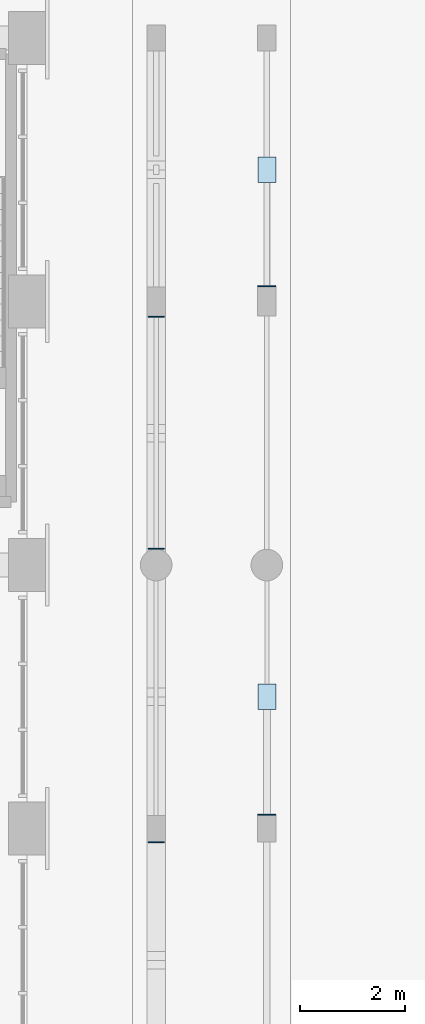
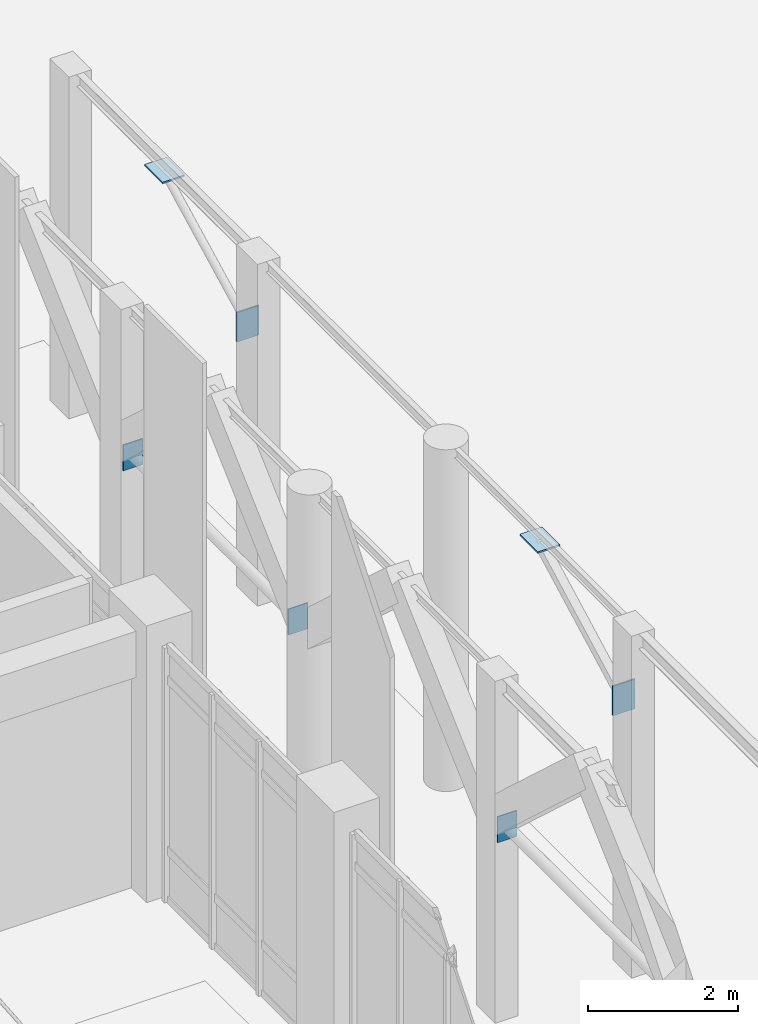
# One storey, part 86 of 135: 7 plates.
"""IFC4 building model written with IfcOpenShell, lengths in metres."""

from ifc_helpers import new_model, si_unit, direction, frame, origin, origin_2d, place, context, subcontext, project, spatial, rectangle, extrude, material, layer, layer_set, type_object, element, save


model = new_model("IFC4")

# Units and contexts
model_context = context("Model", 3, precision=1e-05, world=origin(), true_north=direction((0.0, 1.0)))
body_context = subcontext(model_context, "Body", "Model", "MODEL_VIEW")
ifc_project = project(units=[si_unit("LENGTHUNIT", "METRE"), si_unit("AREAUNIT", "SQUARE_METRE"), si_unit("VOLUMEUNIT", "CUBIC_METRE"), si_unit("PLANEANGLEUNIT", "RADIAN"), si_unit("MASSUNIT", "GRAM", prefix="KILO")], contexts=[model_context])

# Site, building, storey
site_placement = place(None, origin())
site = spatial("IfcSite", under=ifc_project, at=site_placement, CompositionType="ELEMENT")
building_placement = place(site_placement, origin())
building = spatial("IfcBuilding", under=site, at=building_placement, Name="Kiranvali Square Residences", CompositionType="ELEMENT")
storey_placement = place(building_placement, origin())
storey = spatial("IfcBuildingStorey", under=building, at=storey_placement, Name="L00", CompositionType="ELEMENT", Elevation=0.0)

# Plates
ifc_material = material(Name="Structural steel E350", Category="steel")
ifc_layer_1 = layer(ifc_material, 0.02001953125)
ifc_layer_set_1 = layer_set([ifc_layer_1], Name="Structural steel E350")
plate_type_1 = type_object("IfcPlateType", Name="PLT-ENDCAP-20", PredefinedType="SHEET", material=ifc_layer_set_1)
for number, where, z_axis, x_axis, name in (
    (1, (98.449951171875, 68.739013671875, 2.93994140625), (0.0, 0.0, 1.0), (1.0, 0.0, 0.0), "Colonnade tie-rod end plate ARC-GDN-E-5B"),
    (2, (98.449951171875, 74.31103515625, 2.93994140625), (0.0, 0.0, 1.0), (1.0, 0.0, 0.0), "Colonnade tie-rod end plate ARC-GDN-E-7A"),
    (3, (98.449951171875, 78.714111328125, 2.93994140625), (0.0, 0.0, 1.0), (1.0, 0.0, 0.0), "Colonnade tie-rod end plate ARC-GDN-E-7B"),
):
    element("IfcPlate", number, at=place(storey_placement, frame(where, z_axis=z_axis, x_axis=x_axis)), inside=storey, type_object=plate_type_1, Name=name, PredefinedType="SHEET", context=body_context, shape_type="SweptSolid", body=[
        extrude(rectangle(XDim=0.300048828125, YDim=0.02001953125, at=origin_2d()), origin(), (0.0, 0.0, 1.0), 0.419921875),
    ])
ifc_layer_2 = layer(ifc_material, 0.02490234375)
ifc_layer_set_2 = layer_set([ifc_layer_2], Name="Structural steel E350")
plate_type_2 = type_object("IfcPlateType", Name="PLT-GUSSET-25", PredefinedType="USERDEFINED", material=ifc_layer_set_2)
plate_1_placement = place(storey_placement, frame((100.550048828125, 69.263916015625, 3.9599609375), z_axis=(0.0, 0.0, 1.0), x_axis=(1.0, 0.0, 0.0)))
element("IfcPlate", 4, at=plate_1_placement, inside=storey, type_object=plate_type_2, Name="Colonnade knee-brace lower gusset ARC-GDN-E-6A", ObjectType="GUSSET PLATE", PredefinedType="USERDEFINED", context=body_context, shape_type="SweptSolid", body=[
    extrude(rectangle(XDim=0.340087890625, YDim=0.02490234375, at=origin_2d()), origin(), (0.0, 0.0, 1.0), 0.47998046875),
])
plate_2_placement = place(storey_placement, frame((100.550048828125, 71.5, 5.383544921875), z_axis=(0.0, 0.0, 1.0), x_axis=(1.0, 0.0, 0.0)))
element("IfcPlate", 5, at=plate_2_placement, inside=storey, type_object=plate_type_2, Name="Colonnade knee-brace upper gusset ARC-GDN-E-6B", ObjectType="GUSSET PLATE", PredefinedType="USERDEFINED", context=body_context, shape_type="SweptSolid", body=[
    extrude(rectangle(XDim=0.340087890625, YDim=0.47998046875, at=origin_2d()), origin(), (0.0, 0.0, 1.0), 0.02490234375),
])
plate_3_placement = place(storey_placement, frame((100.550048828125, 79.2890625, 3.9599609375), z_axis=(0.0, 0.0, 1.0), x_axis=(1.0, 0.0, 0.0)))
element("IfcPlate", 6, at=plate_3_placement, inside=storey, type_object=plate_type_2, Name="Colonnade knee-brace lower gusset ARC-GDN-E-8A", ObjectType="GUSSET PLATE", PredefinedType="USERDEFINED", context=body_context, shape_type="SweptSolid", body=[
    extrude(rectangle(XDim=0.340087890625, YDim=0.02490234375, at=origin_2d()), origin(), (0.0, 0.0, 1.0), 0.47998046875),
])
plate_4_placement = place(storey_placement, frame((100.550048828125, 81.5, 5.33349609375), z_axis=(0.0, 0.0, 1.0), x_axis=(1.0, 0.0, 0.0)))
element("IfcPlate", 7, at=plate_4_placement, inside=storey, type_object=plate_type_2, Name="Colonnade knee-brace upper gusset ARC-GDN-E-8B", ObjectType="GUSSET PLATE", PredefinedType="USERDEFINED", context=body_context, shape_type="SweptSolid", body=[
    extrude(rectangle(XDim=0.340087890625, YDim=0.47998046875, at=origin_2d()), origin(), (0.0, 0.0, 1.0), 0.02490234375),
])

save(model, "model.ifc")
